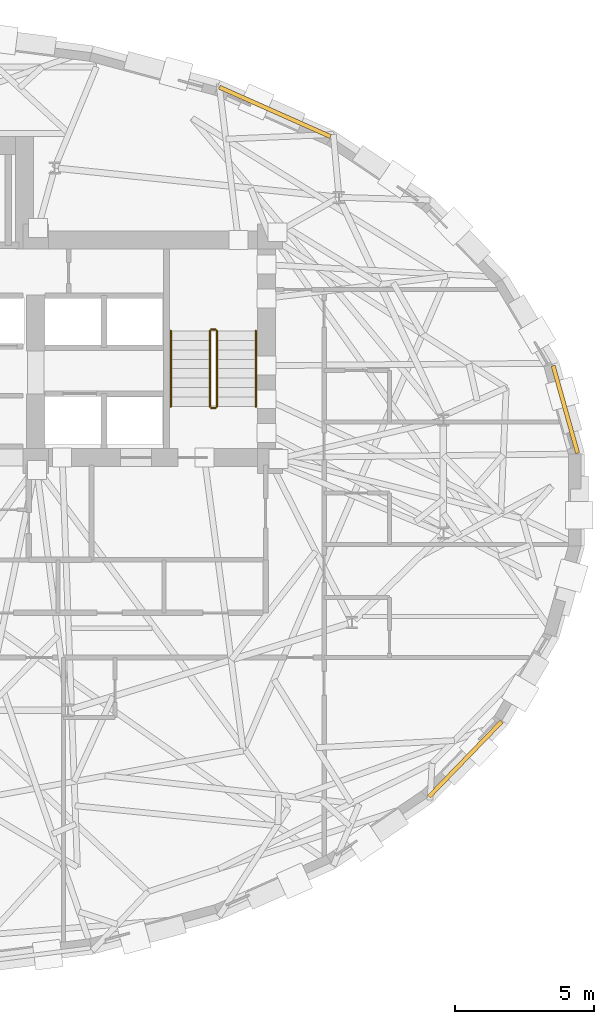
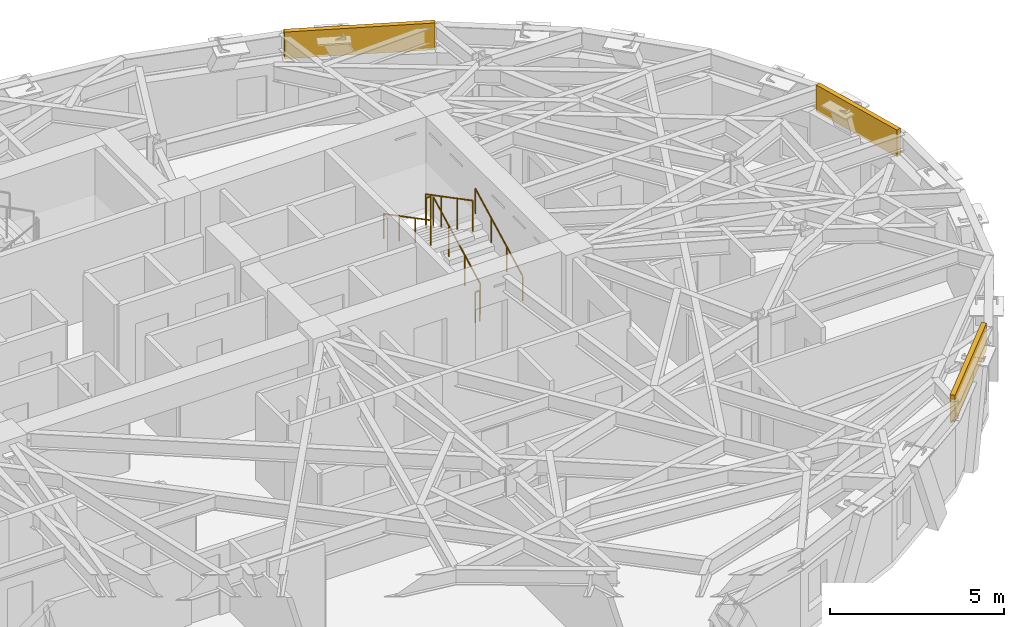
# One storey, part 14 of 15: 6 railings, 3 coverings.
"""IFC4 building model written with IfcOpenShell, lengths in metres."""

from ifc_helpers import new_model, si_unit, direction, frame, origin, origin_2d, place, context, subcontext, project, spatial, rectangle, circle, extrude, material, layer, layer_set, type_object, element, save


model = new_model("IFC4")

# Units and contexts
model_context = context("Model", 3, precision=1e-05, world=origin(), true_north=direction((0.0, 1.0)))
body_context = subcontext(model_context, "Body", "Model", "MODEL_VIEW")
ifc_project = project(units=[si_unit("LENGTHUNIT", "METRE"), si_unit("AREAUNIT", "SQUARE_METRE"), si_unit("VOLUMEUNIT", "CUBIC_METRE"), si_unit("PLANEANGLEUNIT", "RADIAN"), si_unit("MASSUNIT", "GRAM", prefix="KILO")], contexts=[model_context])

# Site, building, storey
site_placement = place(None, origin())
site = spatial("IfcSite", under=ifc_project, at=site_placement, CompositionType="ELEMENT")
building_placement = place(site_placement, origin())
building = spatial("IfcBuilding", under=site, at=building_placement, Name="Keldmark Tower", CompositionType="ELEMENT")
storey_placement = place(building_placement, frame((0.0, 0.0, 159.800048828125)))
storey = spatial("IfcBuildingStorey", under=building, at=storey_placement, Name="L43", CompositionType="ELEMENT", Elevation=159.800048828125)

# Coverings
ifc_material_1 = material(Name="Honed Kasota Buff Dolomitic Limestone", Category="masonry")
ifc_layer = layer(ifc_material_1, 0.074951171875)
ifc_layer_set = layer_set([ifc_layer], Name="Honed Kasota Buff Dolomitic Limestone")
covering_type = type_object("IfcCoveringType", Name="Kasota Buff Limestone Spandrel Cladding Band", PredefinedType="CLADDING", material=ifc_layer_set)
covering_1_placement = place(storey_placement, frame((24.205322265625, 3.25, 2.239013671875), z_axis=(0.0, 0.0, 1.0), x_axis=(-0.26920558486, 0.963082734286, 0.0)))
element("IfcCovering", 1, at=covering_1_placement, inside=storey, type_object=covering_type, Name="L43 Kasota Limestone Spandrel Band 01", PredefinedType="CLADDING", context=body_context, shape_type="SweptSolid", body=[
    extrude(rectangle(XDim=3.2568359375, YDim=0.14990234375, at=origin_2d()), origin(), (0.0, 0.0, 1.0), 0.94091796875),
])
covering_2_placement = place(storey_placement, frame((13.78466796875, 13.9267578125, 2.239013671875), z_axis=(0.0, 0.0, 1.0), x_axis=(-0.913921308103, 0.405891417247, 0.0)))
element("IfcCovering", 2, at=covering_2_placement, inside=storey, type_object=covering_type, Name="L43 Kasota Limestone Spandrel Band 05", PredefinedType="CLADDING", context=body_context, shape_type="SweptSolid", body=[
    extrude(rectangle(XDim=4.367431640625, YDim=0.14990234375, at=origin_2d()), origin(), (0.0, 0.0, 1.0), 0.94091796875),
])
covering_3_placement = place(storey_placement, frame((20.6142578125, -9.298095703125, 2.239013671875), z_axis=(0.0, 0.0, 1.0), x_axis=(0.694959625859, 0.719048759422, 0.0)))
element("IfcCovering", 3, at=covering_3_placement, inside=storey, type_object=covering_type, Name="L43 Kasota Limestone Spandrel Band 29", PredefinedType="CLADDING", context=body_context, shape_type="SweptSolid", body=[
    extrude(rectangle(XDim=3.74609375, YDim=0.14990234375, at=origin_2d()), origin(), (0.0, 0.0, 1.0), 0.94091796875),
])

# Railings
ifc_material_2 = material(Name="Painted Steel ASTM A500 Grade B", Category="steel")
railing_type_1 = type_object("IfcRailingType", Name="Painted Steel Stair Well Guard 1100 mm", PredefinedType="GUARDRAIL", material=ifc_material_2)
railing_1_placement = place(storey_placement, frame((11.699951171875, 3.35009765625, 0.177734375)))
element("IfcRailing", 4, at=railing_1_placement, inside=storey, type_object=railing_type_1, Name="L43 ST2 stair guard 1", PredefinedType="GUARDRAIL", context=body_context, shape_type="SweptSolid", body=[
    extrude(circle(Radius=0.02392578125, at=origin_2d()), frame((0.0, 0.0, 1.076171875), z_axis=(0.0, 0.886183135912, 0.463335137482), x_axis=(-1.0, 0.0, 0.0)), (0.0, 0.0, 1.0), 3.0693359375),
    extrude(circle(Radius=0.02099609375, at=origin_2d()), origin(), (0.0, 0.0, 1.0), 1.052001953125),
    extrude(circle(Radius=0.02099609375, at=origin_2d()), frame((0.0, 0.90673828125, 0.47412109375)), (0.0, 0.0, 1.0), 1.052001953125),
    extrude(circle(Radius=0.02099609375, at=origin_2d()), frame((0.0, 1.813232421875, 0.947998046875)), (0.0, 0.0, 1.0), 1.052001953125),
    extrude(circle(Radius=0.02099609375, at=origin_2d()), frame((0.0, 2.719970703125, 1.422119140625)), (0.0, 0.0, 1.0), 1.052001953125),
])
railing_2_placement = place(storey_placement, frame((11.64990234375, 6.1201171875, 1.599853515625)))
element("IfcRailing", 5, at=railing_2_placement, inside=storey, type_object=railing_type_1, Name="L43 ST2 stair guard 2", PredefinedType="GUARDRAIL", context=body_context, shape_type="SweptSolid", body=[
    extrude(circle(Radius=0.02392578125, at=origin_2d()), frame((0.0, 0.0, 1.076171875), z_axis=(-1.0, 0.0, 0.0), x_axis=(0.0, -1.0, 0.0)), (0.0, 0.0, 1.0), 0.14990234375),
    extrude(circle(Radius=0.02099609375, at=origin_2d()), origin(), (0.0, 0.0, 1.0), 1.052001953125),
    extrude(circle(Radius=0.02099609375, at=origin_2d()), frame((-0.14990234375, 0.0, 0.0)), (0.0, 0.0, 1.0), 1.052001953125),
])
railing_3_placement = place(storey_placement, frame((11.449951171875, 6.070068359375, 1.77783203125)))
element("IfcRailing", 6, at=railing_3_placement, inside=storey, type_object=railing_type_1, Name="L43 ST2 stair guard 3", PredefinedType="GUARDRAIL", context=body_context, shape_type="SweptSolid", body=[
    extrude(circle(Radius=0.02392578125, at=origin_2d()), frame((0.0, 0.0, 1.076171875), z_axis=(0.0, -0.886183135912, 0.463335137482), x_axis=(1.0, 0.0, 0.0)), (0.0, 0.0, 1.0), 3.0693359375),
    extrude(circle(Radius=0.02099609375, at=origin_2d()), origin(), (0.0, 0.0, 1.0), 1.052001953125),
    extrude(circle(Radius=0.02099609375, at=origin_2d()), frame((0.0, -0.90673828125, 0.47412109375)), (0.0, 0.0, 1.0), 1.052001953125),
    extrude(circle(Radius=0.02099609375, at=origin_2d()), frame((0.0, -1.813232421875, 0.947998046875)), (0.0, 0.0, 1.0), 1.052001953125),
    extrude(circle(Radius=0.02099609375, at=origin_2d()), frame((0.0, -2.719970703125, 1.422119140625)), (0.0, 0.0, 1.0), 1.052001953125),
])
railing_4_placement = place(storey_placement, frame((11.64990234375, 3.300048828125, 0.0)))
element("IfcRailing", 7, at=railing_4_placement, inside=storey, type_object=railing_type_1, Name="L43 ST2 stair guard 4", PredefinedType="GUARDRAIL", context=body_context, shape_type="SweptSolid", body=[
    extrude(circle(Radius=0.02392578125, at=origin_2d()), frame((0.0, 0.0, 1.076171875), z_axis=(-1.0, 0.0, 0.0), x_axis=(0.0, -1.0, 0.0)), (0.0, 0.0, 1.0), 0.14990234375),
    extrude(circle(Radius=0.02099609375, at=origin_2d()), origin(), (0.0, 0.0, 1.0), 1.052001953125),
    extrude(circle(Radius=0.02099609375, at=origin_2d()), frame((-0.14990234375, 0.0, 0.0)), (0.0, 0.0, 1.0), 1.052001953125),
])
ifc_material_3 = material(Name="Stainless Steel AISI 316L", Category="steel")
railing_type_2 = type_object("IfcRailingType", Name="Stainless Steel Stair Handrail 900 mm", PredefinedType="HANDRAIL", material=ifc_material_3)
railing_5_placement = place(storey_placement, frame((13.10009765625, 3.35009765625, 0.177734375)))
element("IfcRailing", 8, at=railing_5_placement, inside=storey, type_object=railing_type_2, Name="L43 ST2 stair handrail 1", PredefinedType="HANDRAIL", context=body_context, shape_type="SweptSolid", body=[
    extrude(circle(Radius=0.02392578125, at=origin_2d()), frame((0.0, 0.0, 0.8759765625), z_axis=(0.0, 0.886183135912, 0.463335137482), x_axis=(-1.0, 0.0, 0.0)), (0.0, 0.0, 1.0), 3.0693359375),
    extrude(circle(Radius=0.02099609375, at=origin_2d()), origin(), (0.0, 0.0, 1.0), 0.851806640625),
    extrude(circle(Radius=0.02099609375, at=origin_2d()), frame((0.0, 0.90673828125, 0.47412109375)), (0.0, 0.0, 1.0), 0.851806640625),
    extrude(circle(Radius=0.02099609375, at=origin_2d()), frame((0.0, 1.813232421875, 0.947998046875)), (0.0, 0.0, 1.0), 0.851806640625),
    extrude(circle(Radius=0.02099609375, at=origin_2d()), frame((0.0, 2.719970703125, 1.422119140625)), (0.0, 0.0, 1.0), 0.851806640625),
])
railing_6_placement = place(storey_placement, frame((10.050048828125, 6.070068359375, 1.77783203125)))
element("IfcRailing", 9, at=railing_6_placement, inside=storey, type_object=railing_type_2, Name="L43 ST2 stair handrail 2", PredefinedType="HANDRAIL", context=body_context, shape_type="SweptSolid", body=[
    extrude(circle(Radius=0.02392578125, at=origin_2d()), frame((0.0, 0.0, 0.8759765625), z_axis=(0.0, -0.886183135912, 0.463335137482), x_axis=(1.0, 0.0, 0.0)), (0.0, 0.0, 1.0), 3.0693359375),
    extrude(circle(Radius=0.02099609375, at=origin_2d()), origin(), (0.0, 0.0, 1.0), 0.851806640625),
    extrude(circle(Radius=0.02099609375, at=origin_2d()), frame((0.0, -0.90673828125, 0.47412109375)), (0.0, 0.0, 1.0), 0.851806640625),
    extrude(circle(Radius=0.02099609375, at=origin_2d()), frame((0.0, -1.813232421875, 0.947998046875)), (0.0, 0.0, 1.0), 0.851806640625),
    extrude(circle(Radius=0.02099609375, at=origin_2d()), frame((0.0, -2.719970703125, 1.422119140625)), (0.0, 0.0, 1.0), 0.851806640625),
])

save(model, "model.ifc")
